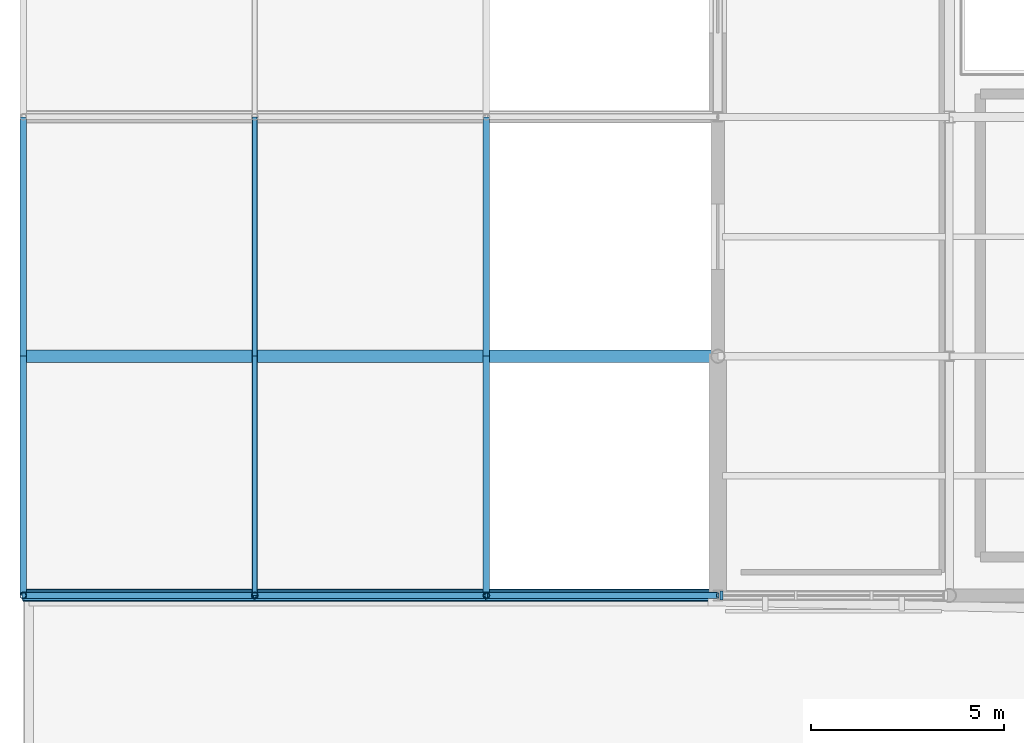
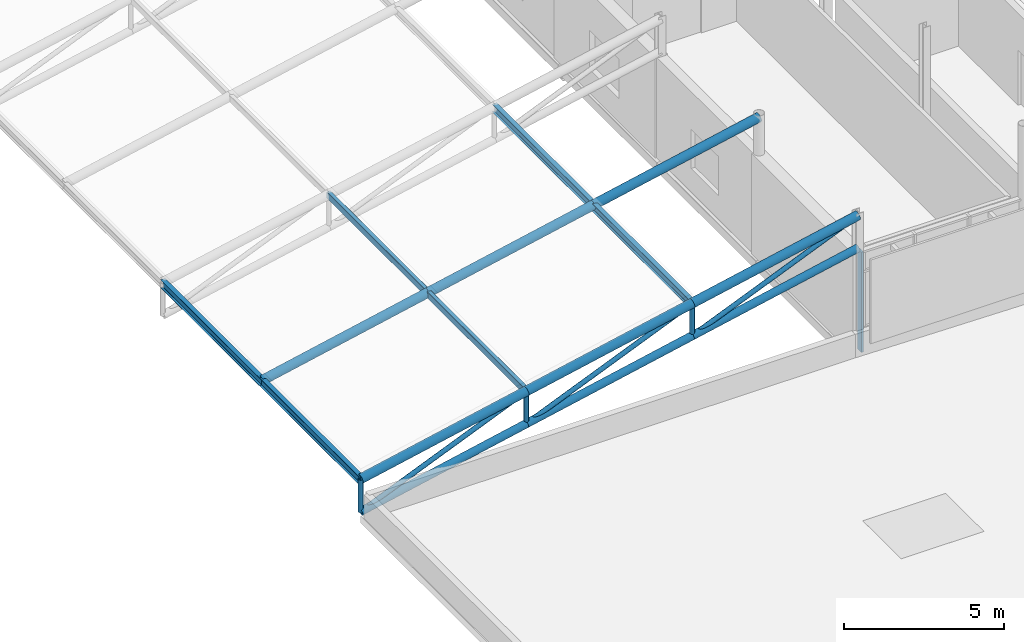
# One storey, part 19 of 84: 22 members, 1 element without a shape of its own.
"""IFC4 building model written with IfcOpenShell, lengths in metres."""

from ifc_helpers import new_model, si_unit, direction, frame, origin, origin_2d, place, context, subcontext, project, spatial, rectangle, hollow_rectangle, hollow_circle, i_section, extrude, material, layer, layer_set, material_profile, profile_set, type_object, element, aggregate, save


model = new_model("IFC4")

# Units and contexts
model_context = context("Model", 3, precision=1e-05, world=origin(), true_north=direction((0.0, 1.0)))
body_context = subcontext(model_context, "Body", "Model", "MODEL_VIEW")
ifc_project = project(units=[si_unit("LENGTHUNIT", "METRE"), si_unit("AREAUNIT", "SQUARE_METRE"), si_unit("VOLUMEUNIT", "CUBIC_METRE"), si_unit("PLANEANGLEUNIT", "RADIAN"), si_unit("MASSUNIT", "GRAM", prefix="KILO")], contexts=[model_context])

# Site, building, storey
site_placement = place(None, origin())
site = spatial("IfcSite", under=ifc_project, at=site_placement, CompositionType="ELEMENT")
building_placement = place(site_placement, origin())
building = spatial("IfcBuilding", under=site, at=building_placement, Name="Mirzam Square Science Centre", CompositionType="ELEMENT")
storey_placement = place(building_placement, frame((0.0, 0.0, 10.800048828125)))
storey = spatial("IfcBuildingStorey", under=building, at=storey_placement, Name="L02", CompositionType="ELEMENT", Elevation=10.800048828125)

# Members
ifc_material_1 = material(Name="Steel S355", Category="steel")
ifc_material_profile_1 = material_profile(ifc_material_1, hollow_circle(Radius=0.084228515625, WallThickness=0.008056640625, at=origin_2d()), Name="168.3x8.0CHS")
ifc_profile_set_1 = profile_set([ifc_material_profile_1], Name="Steel S355")
member_type_1 = type_object("IfcMemberType", Name="BR-CHS168", PredefinedType="BRACE", material=ifc_profile_set_1)
member_1_placement = place(storey_placement, frame((0.0, 37.199951171875, 0.174560546875), z_axis=(0.922529582988, 0.0, 0.385926377063), x_axis=(0.0, 1.0, 0.0)))
element("IfcMember", 1, at=member_1_placement, inside=storey, type_object=member_type_1, Name="Wedge truss web diagonal Y7 bay 1", PredefinedType="BRACE", context=body_context, shape_type="SweptSolid", body=[
    extrude(hollow_circle(Radius=0.084228515625, WallThickness=0.008056640625, at=origin_2d()), origin(), (0.0, 0.0, 1.0), 6.50390625),
])
member_2_placement = place(storey_placement, frame((0.0, 37.199951171875, 0.174560546875), z_axis=(0.0, 0.0, 1.0), x_axis=(1.0, 0.0, 0.0)))
element("IfcMember", 2, at=member_2_placement, inside=storey, type_object=member_type_1, Name="Wedge truss post Y7 bay 1", PredefinedType="BRACE", context=body_context, shape_type="SweptSolid", body=[
    extrude(hollow_circle(Radius=0.084228515625, WallThickness=0.008056640625, at=origin_2d()), origin(), (0.0, 0.0, 1.0), 1.25),
])
member_3_placement = place(storey_placement, frame((6.0, 37.199951171875, 1.4345703125), z_axis=(0.922542947163, 0.0, 0.385894429396), x_axis=(0.0, 1.0, 0.0)))
element("IfcMember", 3, at=member_3_placement, inside=storey, type_object=member_type_1, Name="Wedge truss web diagonal Y7 bay 2", PredefinedType="BRACE", context=body_context, shape_type="SweptSolid", body=[
    extrude(hollow_circle(Radius=0.084228515625, WallThickness=0.008056640625, at=origin_2d()), origin(), (0.0, 0.0, 1.0), 6.503662109375),
])
member_4_placement = place(storey_placement, frame((6.0, 37.199951171875, 1.4345703125), z_axis=(0.0, 0.0, 1.0), x_axis=(1.0, 0.0, 0.0)))
element("IfcMember", 4, at=member_4_placement, inside=storey, type_object=member_type_1, Name="Wedge truss post Y7 bay 2", PredefinedType="BRACE", context=body_context, shape_type="SweptSolid", body=[
    extrude(hollow_circle(Radius=0.084228515625, WallThickness=0.008056640625, at=origin_2d()), origin(), (0.0, 0.0, 1.0), 1.25),
])
member_5_placement = place(storey_placement, frame((12.0, 37.199951171875, 2.6943359375), z_axis=(0.922529582988, 0.0, 0.385926377063), x_axis=(0.0, 1.0, 0.0)))
element("IfcMember", 5, at=member_5_placement, inside=storey, type_object=member_type_1, Name="Wedge truss web diagonal Y7 bay 3", PredefinedType="BRACE", context=body_context, shape_type="SweptSolid", body=[
    extrude(hollow_circle(Radius=0.084228515625, WallThickness=0.008056640625, at=origin_2d()), origin(), (0.0, 0.0, 1.0), 6.50390625),
])
member_6_placement = place(storey_placement, frame((12.0, 37.199951171875, 2.6943359375), z_axis=(0.0, 0.0, 1.0), x_axis=(1.0, 0.0, 0.0)))
element("IfcMember", 6, at=member_6_placement, inside=storey, type_object=member_type_1, Name="Wedge truss post Y7 bay 3", PredefinedType="BRACE", context=body_context, shape_type="SweptSolid", body=[
    extrude(hollow_circle(Radius=0.084228515625, WallThickness=0.008056640625, at=origin_2d()), origin(), (0.0, 0.0, 1.0), 1.25),
])
ifc_material_profile_2 = material_profile(ifc_material_1, hollow_circle(Radius=0.136474609375, WallThickness=0.010009765625, at=origin_2d()), Name="273.0x10.0CHS")
ifc_profile_set_2 = profile_set([ifc_material_profile_2], Name="Steel S355")
member_type_2 = type_object("IfcMemberType", Name="CH-CHS273", PredefinedType="CHORD", material=ifc_profile_set_2)
for number, where, z_axis, x_axis, name in (
    (7, (0.0, 37.199951171875, 0.174560546875), (0.978653176229, 0.0, 0.205518759868), (0.0, 1.0, 0.0), "Wedge truss bottom chord Y7 bay 1"),
    (8, (6.0, 37.199951171875, 1.4345703125), (0.978661184912, 0.0, 0.205480619879), (0.0, 1.0, 0.0), "Wedge truss bottom chord Y7 bay 2"),
    (9, (12.0, 37.199951171875, 2.6943359375), (0.978653176229, 0.0, 0.205518759868), (0.0, 1.0, 0.0), "Wedge truss bottom chord Y7 bay 3"),
):
    element("IfcMember", number, at=place(storey_placement, frame(where, z_axis=z_axis, x_axis=x_axis)), inside=storey, type_object=member_type_2, Name=name, PredefinedType="CHORD", context=body_context, shape_type="SweptSolid", body=[
        extrude(hollow_circle(Radius=0.136474609375, WallThickness=0.010009765625, at=origin_2d()), origin(), (0.0, 0.0, 1.0), 6.130859375),
    ])
ifc_material_profile_3 = material_profile(ifc_material_1, hollow_circle(Radius=0.161865234375, WallThickness=0.012451171875, at=origin_2d()), Name="323.9x12.5CHS")
ifc_profile_set_3 = profile_set([ifc_material_profile_3], Name="Steel S355")
member_type_3 = type_object("IfcMemberType", Name="CH-CHS324", PredefinedType="CHORD", material=ifc_profile_set_3)
for number, where, z_axis, x_axis, name in (
    (10, (0.0, 37.199951171875, 1.424560546875), (0.978653176229, 0.0, 0.205518759868), (0.0, 1.0, 0.0), "Wedge truss top chord Y7 bay 1"),
    (11, (6.0, 37.199951171875, 2.6845703125), (0.978661184912, 0.0, 0.205480619879), (0.0, 1.0, 0.0), "Wedge truss top chord Y7 bay 2"),
    (12, (12.0, 37.199951171875, 3.9443359375), (0.978653176229, 0.0, 0.205518759868), (0.0, 1.0, 0.0), "Wedge truss top chord Y7 bay 3"),
    (13, (0.0, 43.39990234375, 1.424560546875), (0.978653176229, 0.0, 0.205518759868), (0.0, 1.0, 0.0), "Wedge truss top chord Y8 bay 1"),
    (14, (6.0, 43.39990234375, 2.6845703125), (0.978661184912, 0.0, 0.205480619879), (0.0, 1.0, 0.0), "Wedge truss top chord Y8 bay 2"),
    (15, (12.0, 43.39990234375, 3.9443359375), (0.978653176229, 0.0, 0.205518759868), (0.0, 1.0, 0.0), "Wedge truss top chord Y8 bay 3"),
):
    element("IfcMember", number, at=place(storey_placement, frame(where, z_axis=z_axis, x_axis=x_axis)), inside=storey, type_object=member_type_3, Name=name, PredefinedType="CHORD", context=body_context, shape_type="SweptSolid", body=[
        extrude(hollow_circle(Radius=0.161865234375, WallThickness=0.012451171875, at=origin_2d()), origin(), (0.0, 0.0, 1.0), 6.130859375),
    ])

# Curtain wall, member
ifc_material_2 = material(Name="Anodised Aluminium and Low-E Solar Glass", Category="aluminium")
ifc_layer = layer(ifc_material_2, 0.239990234375)
ifc_layer_set = layer_set([ifc_layer], Name="CW-EAST-B")
curtain_wall_type = type_object("IfcCurtainWallType", Name="CW-EAST-B", PredefinedType="USERDEFINED", material=ifc_layer_set)
curtain_wall_placement = place(storey_placement, origin())
curtain_wall = element("IfcCurtainWall", 16, at=curtain_wall_placement, inside=storey, type_object=curtain_wall_type, Name="L02 unitised curtain wall 27", ObjectType="UNITISED CURTAIN WALL", PredefinedType="USERDEFINED")
ifc_material_3 = material(Name="Anodised Architectural Aluminium 6063-T6", Category="aluminium")
ifc_material_profile_4 = material_profile(ifc_material_3, rectangle(XDim=0.074951171875, YDim=0.239990234375, at=origin_2d()), Name="ALU-MULL-240x75x5")
ifc_profile_set_4 = profile_set([ifc_material_profile_4], Name="Anodised Architectural Aluminium 6063-T6")
member_type_4 = type_object("IfcMemberType", Name="CWM-240", PredefinedType="MULLION", material=ifc_profile_set_4)
member_7_placement = place(storey_placement, frame((18.092529296875, 37.199951171875, 0.0), z_axis=(0.0, 0.0, 1.0), x_axis=(1.0, 0.0, 0.0)))
member_7 = element("IfcMember", 17, at=member_7_placement, type_object=member_type_4, Name="CW-06 mullion 1", PredefinedType="MULLION", context=body_context, shape_type="SweptSolid", body=[
    extrude(rectangle(XDim=0.074951171875, YDim=0.239990234375, at=origin_2d()), origin(), (0.0, 0.0, 1.0), 3.83984375),
])
aggregate(curtain_wall, [member_7])

# Members
ifc_material_profile_5 = material_profile(ifc_material_1, hollow_rectangle(XDim=0.14990234375, YDim=0.25, WallThickness=0.010009765625, InnerFilletRadius=0.010009765625, OuterFilletRadius=0.02001953125, at=origin_2d()), Name="250x150x10.0RHS")
ifc_profile_set_5 = profile_set([ifc_material_profile_5], Name="Steel S355")
member_type_5 = type_object("IfcMemberType", Name="RF-RHS250", PredefinedType="RAFTER", material=ifc_profile_set_5)
member_8_placement = place(storey_placement, frame((6.0, 37.199951171875, 2.687255859375), z_axis=(0.0, 1.0, 0.0), x_axis=(-1.0, 0.0, 0.0)))
element("IfcMember", 18, at=member_8_placement, inside=storey, type_object=member_type_5, Name="Wedge roof rafter X2-7", PredefinedType="RAFTER", context=body_context, shape_type="SweptSolid", body=[
    extrude(hollow_rectangle(XDim=0.14990234375, YDim=0.25, WallThickness=0.010009765625, InnerFilletRadius=0.010009765625, OuterFilletRadius=0.02001953125, at=origin_2d()), origin(), (0.0, 0.0, 1.0), 6.199951171875),
])
member_9_placement = place(storey_placement, frame((6.0, 43.39990234375, 2.687255859375), z_axis=(0.0, 1.0, 0.0), x_axis=(-1.0, 0.0, 0.0)))
element("IfcMember", 19, at=member_9_placement, inside=storey, type_object=member_type_5, Name="Wedge roof rafter X2-8", PredefinedType="RAFTER", context=body_context, shape_type="SweptSolid", body=[
    extrude(hollow_rectangle(XDim=0.14990234375, YDim=0.25, WallThickness=0.010009765625, InnerFilletRadius=0.010009765625, OuterFilletRadius=0.02001953125, at=origin_2d()), origin(), (0.0, 0.0, 1.0), 6.2001953125),
])
ifc_material_profile_6 = material_profile(ifc_material_1, i_section(OverallWidth=0.165771484375, OverallDepth=0.306640625, WebThickness=0.006591796875, FlangeThickness=0.01171875, FilletRadius=0.0087890625, at=origin_2d()), Name="305x165x46UB")
ifc_profile_set_6 = profile_set([ifc_material_profile_6], Name="Steel S355")
member_type_6 = type_object("IfcMemberType", Name="RF-UB305", PredefinedType="RAFTER", material=ifc_profile_set_6)
for number, where, z_axis, x_axis, name in (
    (20, (0.0, 37.199951171875, 1.3984375), (0.0, 1.0, 0.0), (-1.0, 0.0, 0.0), "Wedge roof rafter X1-7"),
    (21, (12.0, 37.199951171875, 3.91845703125), (0.0, 1.0, 0.0), (-1.0, 0.0, 0.0), "Wedge roof rafter X3-7"),
):
    element("IfcMember", number, at=place(storey_placement, frame(where, z_axis=z_axis, x_axis=x_axis)), inside=storey, type_object=member_type_6, Name=name, PredefinedType="RAFTER", context=body_context, shape_type="SweptSolid", body=[
        extrude(i_section(OverallWidth=0.165771484375, OverallDepth=0.306640625, WebThickness=0.006591796875, FlangeThickness=0.01171875, FilletRadius=0.0087890625, at=origin_2d()), origin(), (0.0, 0.0, 1.0), 6.199951171875),
    ])
for number, where, z_axis, x_axis, name in (
    (22, (0.0, 43.39990234375, 1.3984375), (0.0, 1.0, 0.0), (-1.0, 0.0, 0.0), "Wedge roof rafter X1-8"),
    (23, (12.0, 43.39990234375, 3.91845703125), (0.0, 1.0, 0.0), (-1.0, 0.0, 0.0), "Wedge roof rafter X3-8"),
):
    element("IfcMember", number, at=place(storey_placement, frame(where, z_axis=z_axis, x_axis=x_axis)), inside=storey, type_object=member_type_6, Name=name, PredefinedType="RAFTER", context=body_context, shape_type="SweptSolid", body=[
        extrude(i_section(OverallWidth=0.165771484375, OverallDepth=0.306640625, WebThickness=0.006591796875, FlangeThickness=0.01171875, FilletRadius=0.0087890625, at=origin_2d()), origin(), (0.0, 0.0, 1.0), 6.2001953125),
    ])

save(model, "model.ifc")
